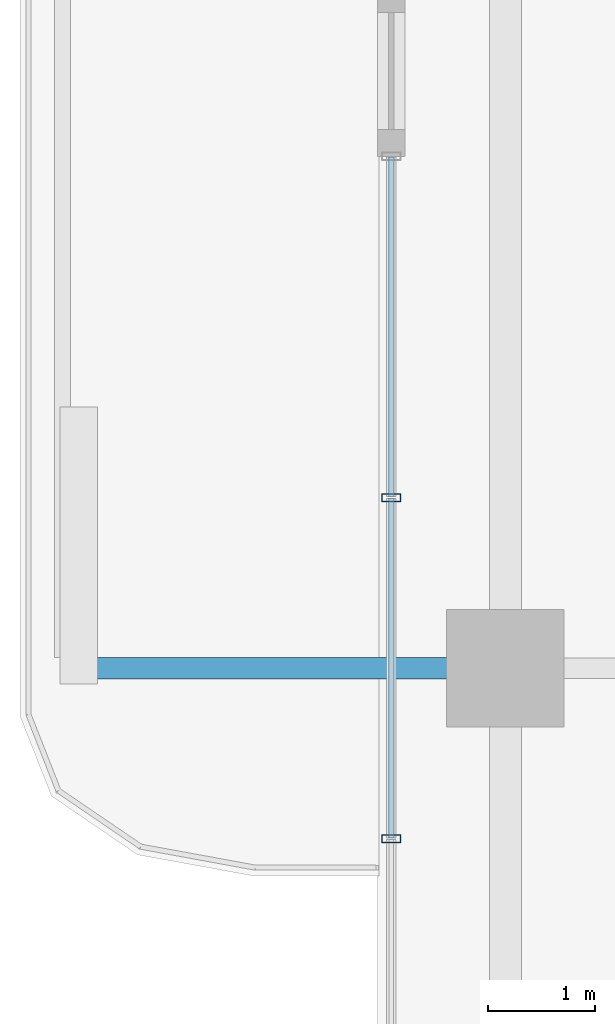
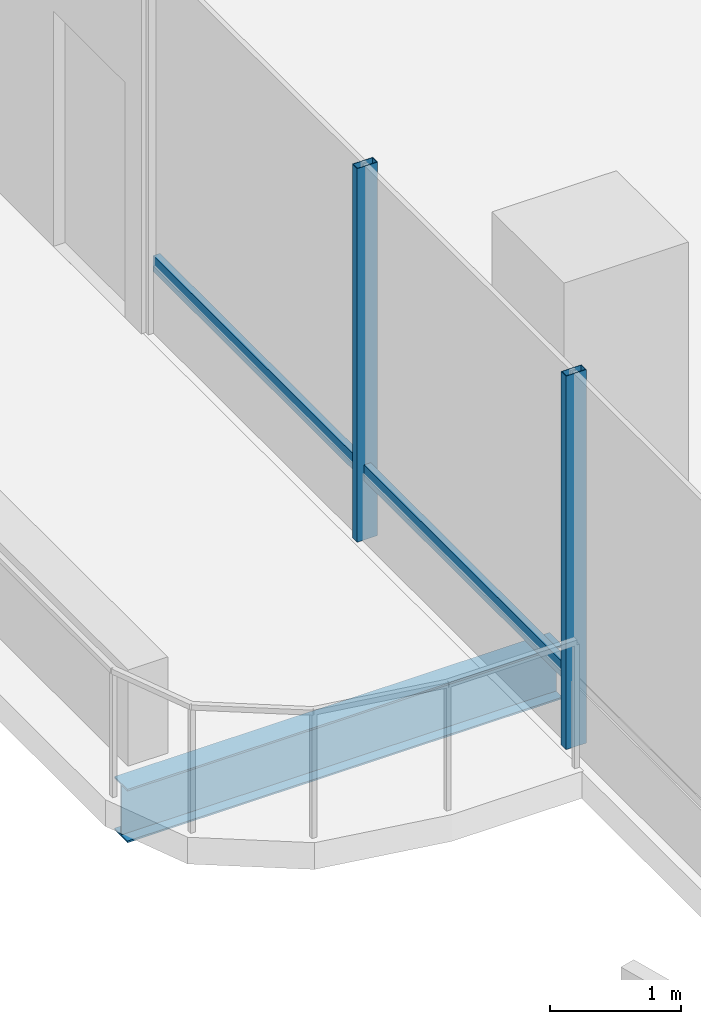
# One storey, part 6 of 25: 4 members, 1 beam, 1 element without a shape of its own.
"""IFC4 building model written with IfcOpenShell, lengths in metres."""

from ifc_helpers import new_model, si_unit, direction, frame, origin, origin_2d, place, context, subcontext, project, spatial, hollow_rectangle, i_section, extrude, material, layer, layer_set, material_profile, profile_set, type_object, element, aggregate, save


model = new_model("IFC4")

# Units and contexts
model_context = context("Model", 3, precision=1e-05, world=origin(), true_north=direction((0.0, 1.0)))
body_context = subcontext(model_context, "Body", "Model", "MODEL_VIEW")
ifc_project = project(units=[si_unit("LENGTHUNIT", "METRE"), si_unit("AREAUNIT", "SQUARE_METRE"), si_unit("VOLUMEUNIT", "CUBIC_METRE"), si_unit("PLANEANGLEUNIT", "RADIAN"), si_unit("MASSUNIT", "GRAM", prefix="KILO")], contexts=[model_context])

# Site, building, storey
site_placement = place(None, origin())
site = spatial("IfcSite", under=ifc_project, at=site_placement, CompositionType="ELEMENT")
building_placement = place(site_placement, origin())
building = spatial("IfcBuilding", under=site, at=building_placement, Name="Belovzor Exchange Tower", CompositionType="ELEMENT")
storey_placement = place(building_placement, frame((0.0, 0.0, 149.550048828125)))
storey = spatial("IfcBuildingStorey", under=building, at=storey_placement, Name="L36", CompositionType="ELEMENT", Elevation=149.550048828125)

# Beam
ifc_material_1 = material(Name="Steel S355", Category="steel")
ifc_material_profile_1 = material_profile(ifc_material_1, i_section(OverallWidth=0.199951171875, OverallDepth=0.5, WebThickness=0.01025390625, FlangeThickness=0.01611328125, at=origin_2d()))
ifc_profile_set_1 = profile_set([ifc_material_profile_1], Name="Steel S355")
beam_type = type_object("IfcBeamType", Name="Planted Balcony Cantilever Beam IPE 500", PredefinedType="BEAM", material=ifc_profile_set_1)
beam_placement = place(storey_placement, frame((5.39697265625, 28.800048828125, -0.505126953125), z_axis=(-1.0, 0.0, 0.0), x_axis=(0.0, -1.0, 0.0)))
element("IfcBeam", 1, at=beam_placement, inside=storey, type_object=beam_type, Name="BC-500 Planted Balcony Cantilever Beam IPE 500", PredefinedType="BEAM", context=body_context, shape_type="SweptSolid", body=[
    extrude(i_section(OverallWidth=0.199951171875, OverallDepth=0.5, WebThickness=0.01025390625, FlangeThickness=0.01611328125, at=origin_2d()), origin(), (0.0, 0.0, 1.0), 3.849853515625),
])

# Curtain wall, members
ifc_material_2 = material(Name="Anodised Aluminium Framing", Category="aluminium")
ifc_layer = layer(ifc_material_2, 0.179931640625)
ifc_layer_set = layer_set([ifc_layer], Name="Anodised Aluminium Framing")
curtain_wall_type = type_object("IfcCurtainWallType", Name="Recessed Loggia Low-Iron Triple-Glazed Curtain Wall", PredefinedType="NOTDEFINED", material=ifc_layer_set)
curtain_wall_placement = place(storey_placement, origin())
curtain_wall = element("IfcCurtainWall", 2, at=curtain_wall_placement, inside=storey, type_object=curtain_wall_type, Name="CW3 Recessed Loggia Low-Iron Triple-Glazed Curtain Wall L36", PredefinedType="NOTDEFINED")
ifc_material_3 = material(Name="Steel S355", Category="steel")
ifc_material_profile_2 = material_profile(ifc_material_3, hollow_rectangle(XDim=0.074951171875, YDim=0.179931640625, WallThickness=0.0048828125, at=origin_2d()))
ifc_profile_set_2 = profile_set([ifc_material_profile_2], Name="Steel S355")
member_type_1 = type_object("IfcMemberType", Name="Thermally Broken Curtain Wall Mullion 180x75", PredefinedType="MULLION", material=ifc_profile_set_2)
member_1_placement = place(storey_placement, frame((4.6298828125, 27.199951171875, 0.0), z_axis=(0.0, 0.0, 1.0), x_axis=(0.0, 1.0, 0.0)))
member_1 = element("IfcMember", 3, at=member_1_placement, type_object=member_type_1, Name="CW-M180 Curtain Wall Mullion 2", PredefinedType="MULLION", context=body_context, shape_type="SweptSolid", body=[
    extrude(hollow_rectangle(XDim=0.074951171875, YDim=0.179931640625, WallThickness=0.0048828125, at=origin_2d()), origin(), (0.0, 0.0, 1.0), 3.494873046875),
])
member_2_placement = place(storey_placement, frame((4.6298828125, 30.39990234375, 0.0), z_axis=(0.0, 0.0, 1.0), x_axis=(0.0, 1.0, 0.0)))
member_2 = element("IfcMember", 4, at=member_2_placement, type_object=member_type_1, Name="CW-M180 Curtain Wall Mullion 3", PredefinedType="MULLION", context=body_context, shape_type="SweptSolid", body=[
    extrude(hollow_rectangle(XDim=0.074951171875, YDim=0.179931640625, WallThickness=0.0048828125, at=origin_2d()), origin(), (0.0, 0.0, 1.0), 3.494873046875),
])
ifc_material_4 = material(Name="Steel S355", Category="steel")
ifc_material_profile_3 = material_profile(ifc_material_4, hollow_rectangle(XDim=0.06005859375, YDim=0.14990234375, WallThickness=0.00390625, at=origin_2d()))
ifc_profile_set_3 = profile_set([ifc_material_profile_3], Name="Steel S355")
member_type_2 = type_object("IfcMemberType", Name="Thermally Broken Curtain Wall Transom 150x60", PredefinedType="USERDEFINED", material=ifc_profile_set_3)
member_3_placement = place(storey_placement, frame((4.6298828125, 27.2080078125, 0.62890625), z_axis=(0.0, 1.0, 0.0), x_axis=(-1.0, 0.0, 0.0)))
member_3 = element("IfcMember", 5, at=member_3_placement, type_object=member_type_2, Name="CW-T150 Curtain Wall Transom 2", ObjectType="TRANSOM", PredefinedType="USERDEFINED", context=body_context, shape_type="SweptSolid", body=[
    extrude(hollow_rectangle(XDim=0.06005859375, YDim=0.14990234375, WallThickness=0.00390625, at=origin_2d()), origin(), (0.0, 0.0, 1.0), 3.18408203125),
])
member_4_placement = place(storey_placement, frame((4.6298828125, 30.407958984375, 0.62890625), z_axis=(0.0, 1.0, 0.0), x_axis=(-1.0, 0.0, 0.0)))
member_4 = element("IfcMember", 6, at=member_4_placement, type_object=member_type_2, Name="CW-T150 Curtain Wall Transom 3", ObjectType="TRANSOM", PredefinedType="USERDEFINED", context=body_context, shape_type="SweptSolid", body=[
    extrude(hollow_rectangle(XDim=0.06005859375, YDim=0.14990234375, WallThickness=0.00390625, at=origin_2d()), origin(), (0.0, 0.0, 1.0), 3.18408203125),
])
aggregate(curtain_wall, [member_1, member_2, member_3, member_4])

save(model, "model.ifc")
